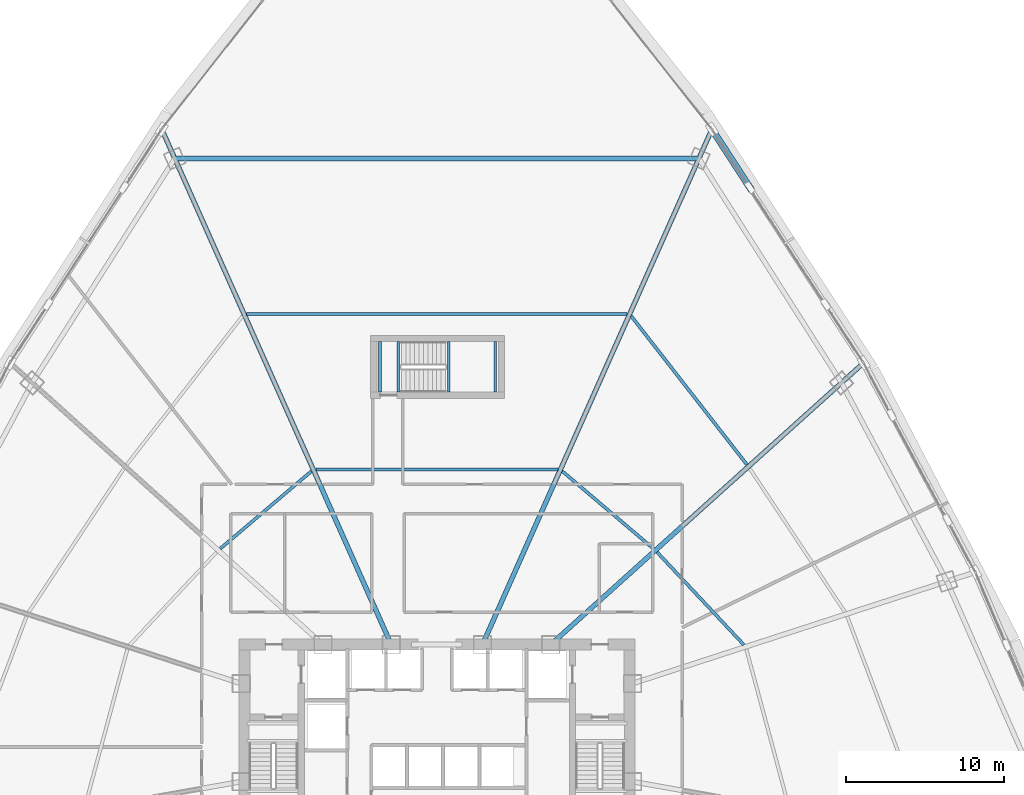
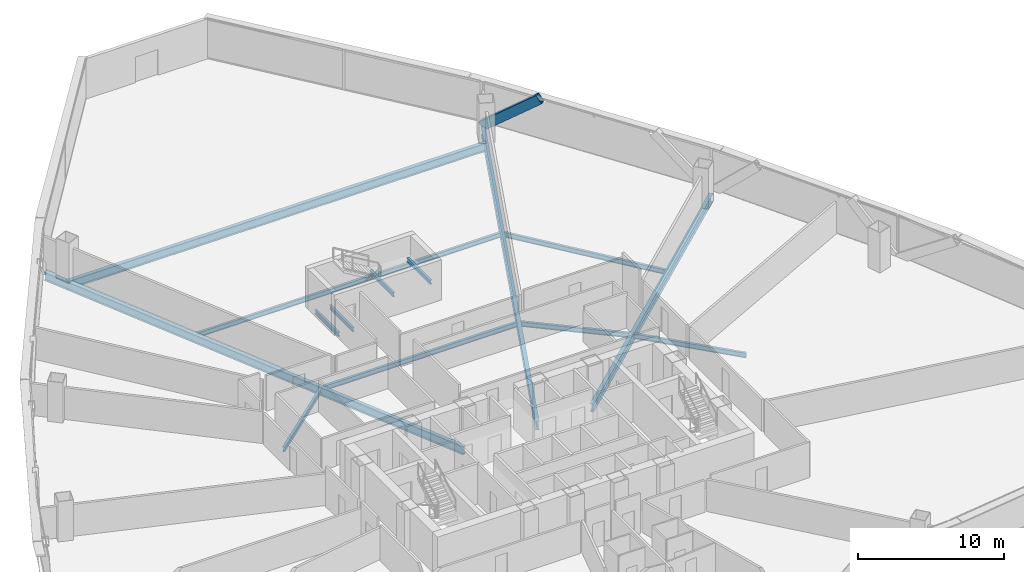
# One storey, part 18 of 38: 14 beams, 1 member.
"""IFC4 building model written with IfcOpenShell, lengths in metres."""

from ifc_helpers import new_model, si_unit, direction, frame, origin, origin_2d, place, context, subcontext, project, spatial, hollow_rectangle, i_section, extrude, source, transform, mapped, material, material_profile, profile_set, type_object, element, save


model = new_model("IFC4")

# Units and contexts
model_context = context("Model", 3, precision=1e-05, world=origin(), true_north=direction((0.0, 1.0)))
body_context = subcontext(model_context, "Body", "Model", "MODEL_VIEW")
ifc_project = project(units=[si_unit("LENGTHUNIT", "METRE"), si_unit("AREAUNIT", "SQUARE_METRE"), si_unit("VOLUMEUNIT", "CUBIC_METRE"), si_unit("PLANEANGLEUNIT", "RADIAN"), si_unit("MASSUNIT", "GRAM", prefix="KILO"), si_unit("THERMODYNAMICTEMPERATUREUNIT", "KELVIN"), si_unit("POWERUNIT", "WATT")], contexts=[model_context])

# Site, building, storey
site_placement = place(None, origin())
site = spatial("IfcSite", under=ifc_project, at=site_placement, CompositionType="ELEMENT")
building_placement = place(site_placement, origin())
building = spatial("IfcBuilding", under=site, at=building_placement, Name="Yunzhuo Pagoda Commons", CompositionType="ELEMENT")
storey_placement = place(building_placement, frame((0.0, 0.0, 34.030029296875)))
storey = spatial("IfcBuildingStorey", under=building, at=storey_placement, Name="L08", CompositionType="ELEMENT", Elevation=34.030029296875)

# Beams
ifc_material_1 = material(Name="Structural steel Q355B", Category="steel")
ifc_material_profile_1 = material_profile(ifc_material_1, i_section(OverallWidth=0.175048828125, OverallDepth=0.35009765625, WebThickness=0.007080078125, FlangeThickness=0.010986328125, at=origin_2d()), Name="Structural steel Q355B")
ifc_profile_set_1 = profile_set([ifc_material_profile_1], Name="Structural steel Q355B")
beam_type_1 = type_object("IfcBeamType", Name="B-JS2 Joist HN 350x175x7x11", PredefinedType="JOIST", material=ifc_profile_set_1)
shared_shape_1 = source(origin(), body_context, "Body", "SweptSolid", [
    extrude(i_section(OverallWidth=0.175048828125, OverallDepth=0.35009765625, WebThickness=0.007080078125, FlangeThickness=0.010986328125, at=origin_2d()), origin(), (0.0, 0.0, 1.0), 3.199951171875),
])
for number, where, z_axis, x_axis, name in (
    (1, (48.75, 56.199951171875, 1.43994140625), (0.0, 1.0, 0.0), (-1.0, 0.0, 0.0), "L08 ST3 landing support beam 12A"),
    (2, (51.699951171875, 56.199951171875, 1.43994140625), (0.0, 1.0, 0.0), (-1.0, 0.0, 0.0), "L08 ST3 landing support beam 12B"),
    (3, (44.39990234375, 56.199951171875, -0.375), (0.0, 1.0, 0.0), (-1.0, 0.0, 0.0), "L08 ST3 landing support beam 82A"),
    (4, (45.550048828125, 56.199951171875, -0.375), (0.0, 1.0, 0.0), (-1.0, 0.0, 0.0), "L08 ST3 landing support beam 82B"),
):
    element("IfcBeam", number, at=place(storey_placement, frame(where, z_axis=z_axis, x_axis=x_axis)), inside=storey, type_object=beam_type_1, Name=name, PredefinedType="JOIST", context=body_context, shape_type="MappedRepresentation", body=[
        mapped(shared_shape_1, transform((0.0, 0.0, 0.0), scale=1.0)),
    ])
ifc_material_profile_2 = material_profile(ifc_material_1, i_section(OverallWidth=0.300048828125, OverallDepth=0.699951171875, WebThickness=0.012939453125, FlangeThickness=0.02392578125, at=origin_2d()), Name="Structural steel Q355B")
ifc_profile_set_2 = profile_set([ifc_material_profile_2], Name="Structural steel Q355B")
beam_type_2 = type_object("IfcBeamType", Name="B-RG1 Beam HN 700x300x13x24", PredefinedType="BEAM", material=ifc_profile_set_2)
shared_shape_2 = source(origin(), body_context, "Body", "SweptSolid", [
    extrude(i_section(OverallWidth=0.300048828125, OverallDepth=0.699951171875, WebThickness=0.012939453125, FlangeThickness=0.02392578125, at=origin_2d()), origin(), (0.0, 0.0, 1.0), 33.2216796875),
])
beam_1_placement = place(storey_placement, frame((64.61083984375, 71.008544921875, -0.610107421875), z_axis=(-1.0, 0.0, 0.0), x_axis=(0.0, -1.0, 0.0)))
element("IfcBeam", 5, at=beam_1_placement, inside=storey, type_object=beam_type_2, Name="L08 column-ring beam 8", PredefinedType="BEAM", context=body_context, shape_type="MappedRepresentation", body=[
    mapped(shared_shape_2, transform((0.0, 0.0, 0.0), scale=1.0)),
])
shared_shape_3 = source(origin(), body_context, "Body", "SweptSolid", [
    extrude(i_section(OverallWidth=0.300048828125, OverallDepth=0.699951171875, WebThickness=0.012939453125, FlangeThickness=0.02392578125, at=origin_2d()), origin(), (0.0, 0.0, 1.0), 26.538818359375),
])
beam_2_placement = place(storey_placement, frame((74.941162109375, 57.9580078125, -0.610107421875), z_axis=(-0.743142261506, -0.669133453927, 0.0), x_axis=(0.669133453927, -0.743142261506, 0.0)))
element("IfcBeam", 6, at=beam_2_placement, inside=storey, type_object=beam_type_2, Name="L08 radial floor girder F2C3", PredefinedType="BEAM", context=body_context, shape_type="MappedRepresentation", body=[
    mapped(shared_shape_3, transform((0.0, 0.0, 0.0), scale=1.0)),
])
shared_shape_4 = source(origin(), body_context, "Body", "SweptSolid", [
    extrude(i_section(OverallWidth=0.300048828125, OverallDepth=0.699951171875, WebThickness=0.012939453125, FlangeThickness=0.02392578125, at=origin_2d()), origin(), (0.0, 0.0, 1.0), 35.606201171875),
])
for number, where, z_axis, x_axis, name in (
    (7, (65.376220703125, 72.727783203125, -0.610107421875), (-0.406733217326, -0.913546982877, 0.0), (0.913546982877, -0.406733217326, 0.0), "L08 radial floor girder F2C4"),
    (8, (30.623779296875, 72.727783203125, -0.610107421875), (0.406733217326, -0.913546982877, 0.0), (0.913546982877, 0.406733217326, 0.0), "L08 radial floor girder F3C1"),
):
    element("IfcBeam", number, at=place(storey_placement, frame(where, z_axis=z_axis, x_axis=x_axis)), inside=storey, type_object=beam_type_2, Name=name, PredefinedType="BEAM", context=body_context, shape_type="MappedRepresentation", body=[
        mapped(shared_shape_4, transform((0.0, 0.0, 0.0), scale=1.0)),
    ])
ifc_material_profile_3 = material_profile(ifc_material_1, i_section(OverallWidth=0.199951171875, OverallDepth=0.39990234375, WebThickness=0.008056640625, FlangeThickness=0.012939453125, at=origin_2d()), Name="Structural steel Q355B")
ifc_profile_set_3 = profile_set([ifc_material_profile_3], Name="Structural steel Q355B")
beam_type_3 = type_object("IfcBeamType", Name="B-JS1 Joist HN 400x200x8x13", PredefinedType="JOIST", material=ifc_profile_set_3)
shared_shape_5 = source(origin(), body_context, "Body", "SweptSolid", [
    extrude(i_section(OverallWidth=0.199951171875, OverallDepth=0.39990234375, WebThickness=0.008056640625, FlangeThickness=0.012939453125, at=origin_2d()), origin(), (0.0, 0.0, 1.0), 8.055908203125),
])
beam_3_placement = place(storey_placement, frame((67.468017578125, 40.177001953125, -0.4599609375), z_axis=(-0.683432879027, 0.730013355949, 0.0), x_axis=(-0.730013355949, -0.683432879027, 0.0)))
element("IfcBeam", 9, at=beam_3_placement, inside=storey, type_object=beam_type_3, Name="L08 composite ring joist 1.6", PredefinedType="JOIST", context=body_context, shape_type="MappedRepresentation", body=[
    mapped(shared_shape_5, transform((0.0, 0.0, 0.0), scale=1.0)),
])
shared_shape_6 = source(origin(), body_context, "Body", "SweptSolid", [
    extrude(i_section(OverallWidth=0.199951171875, OverallDepth=0.39990234375, WebThickness=0.008056640625, FlangeThickness=0.012939453125, at=origin_2d()), origin(), (0.0, 0.0, 1.0), 7.583984375),
])
for number, where, z_axis, x_axis, name in (
    (10, (61.732421875, 46.277099609375, -0.4599609375), (-0.762037799133, 0.647532541803, 0.0), (-0.647532541803, -0.762037799133, 0.0), "L08 composite ring joist 1.7"),
    (11, (40.046875, 51.18798828125, -0.4599609375), (-0.762037799133, -0.647532541803, 0.0), (0.647532541803, -0.762037799133, 0.0), "L08 composite ring joist 1.9"),
):
    element("IfcBeam", number, at=place(storey_placement, frame(where, z_axis=z_axis, x_axis=x_axis)), inside=storey, type_object=beam_type_3, Name=name, PredefinedType="JOIST", context=body_context, shape_type="MappedRepresentation", body=[
        mapped(shared_shape_6, transform((0.0, 0.0, 0.0), scale=1.0)),
    ])
shared_shape_7 = source(origin(), body_context, "Body", "SweptSolid", [
    extrude(i_section(OverallWidth=0.199951171875, OverallDepth=0.39990234375, WebThickness=0.008056640625, FlangeThickness=0.012939453125, at=origin_2d()), origin(), (0.0, 0.0, 1.0), 11.9345703125),
])
beam_4_placement = place(storey_placement, frame((67.65380859375, 51.609619140625, -0.4599609375), z_axis=(-0.614572048085, 0.788860696012, 0.0), x_axis=(-0.788860696012, -0.614572048085, 0.0)))
element("IfcBeam", 12, at=beam_4_placement, inside=storey, type_object=beam_type_3, Name="L08 composite ring joist 2.7", PredefinedType="JOIST", context=body_context, shape_type="MappedRepresentation", body=[
    mapped(shared_shape_7, transform((0.0, 0.0, 0.0), scale=1.0)),
])
shared_shape_8 = source(origin(), body_context, "Body", "SweptSolid", [
    extrude(i_section(OverallWidth=0.199951171875, OverallDepth=0.39990234375, WebThickness=0.008056640625, FlangeThickness=0.012939453125, at=origin_2d()), origin(), (0.0, 0.0, 1.0), 15.34619140625),
])
beam_5_placement = place(storey_placement, frame((55.673095703125, 51.291015625, -0.4599609375), z_axis=(-1.0, 0.0, 0.0), x_axis=(0.0, -1.0, 0.0)))
element("IfcBeam", 13, at=beam_5_placement, inside=storey, type_object=beam_type_3, Name="L08 composite ring joist 1.8", PredefinedType="JOIST", context=body_context, shape_type="MappedRepresentation", body=[
    mapped(shared_shape_8, transform((0.0, 0.0, 0.0), scale=1.0)),
])
shared_shape_9 = source(origin(), body_context, "Body", "SweptSolid", [
    extrude(i_section(OverallWidth=0.199951171875, OverallDepth=0.39990234375, WebThickness=0.008056640625, FlangeThickness=0.012939453125, at=origin_2d()), origin(), (0.0, 0.0, 1.0), 24.125),
])
beam_6_placement = place(storey_placement, frame((60.0625, 61.14990234375, -0.4599609375), z_axis=(-1.0, 0.0, 0.0), x_axis=(0.0, -1.0, 0.0)))
element("IfcBeam", 14, at=beam_6_placement, inside=storey, type_object=beam_type_3, Name="L08 composite ring joist 2.8", PredefinedType="JOIST", context=body_context, shape_type="MappedRepresentation", body=[
    mapped(shared_shape_9, transform((0.0, 0.0, 0.0), scale=1.0)),
])

# Member
ifc_material_2 = material(Name="Structural steel Q420B", Category="steel")
ifc_material_profile_4 = material_profile(ifc_material_2, hollow_rectangle(XDim=0.419921875, YDim=0.719970703125, WallThickness=0.028076171875, at=origin_2d()), Name="Structural steel Q420B")
ifc_profile_set_4 = profile_set([ifc_material_profile_4], Name="Structural steel Q420B")
member_type = type_object("IfcMemberType", Name="M-DL1 Brace BOX 720x420x28", PredefinedType="BRACE", material=ifc_profile_set_4)
shared_shape_10 = source(origin(), body_context, "Body", "SweptSolid", [
    extrude(hollow_rectangle(XDim=0.419921875, YDim=0.719970703125, WallThickness=0.028076171875, at=origin_2d()), origin(), (0.0, 0.0, 1.0), 5.714599609375),
])
member_placement = place(storey_placement, frame((65.439453125, 72.869384765625, -0.259765625), z_axis=(0.420690076619, -0.647761038052, 0.635157852046), x_axis=(0.838653334706, 0.544665570957, 0.0)))
element("IfcMember", 15, at=member_placement, inside=storey, type_object=member_type, Name="L08 facade diamond brace F2.3R", PredefinedType="BRACE", context=body_context, shape_type="MappedRepresentation", body=[
    mapped(shared_shape_10, transform((0.0, 0.0, 0.0), scale=1.0)),
])

save(model, "model.ifc")
